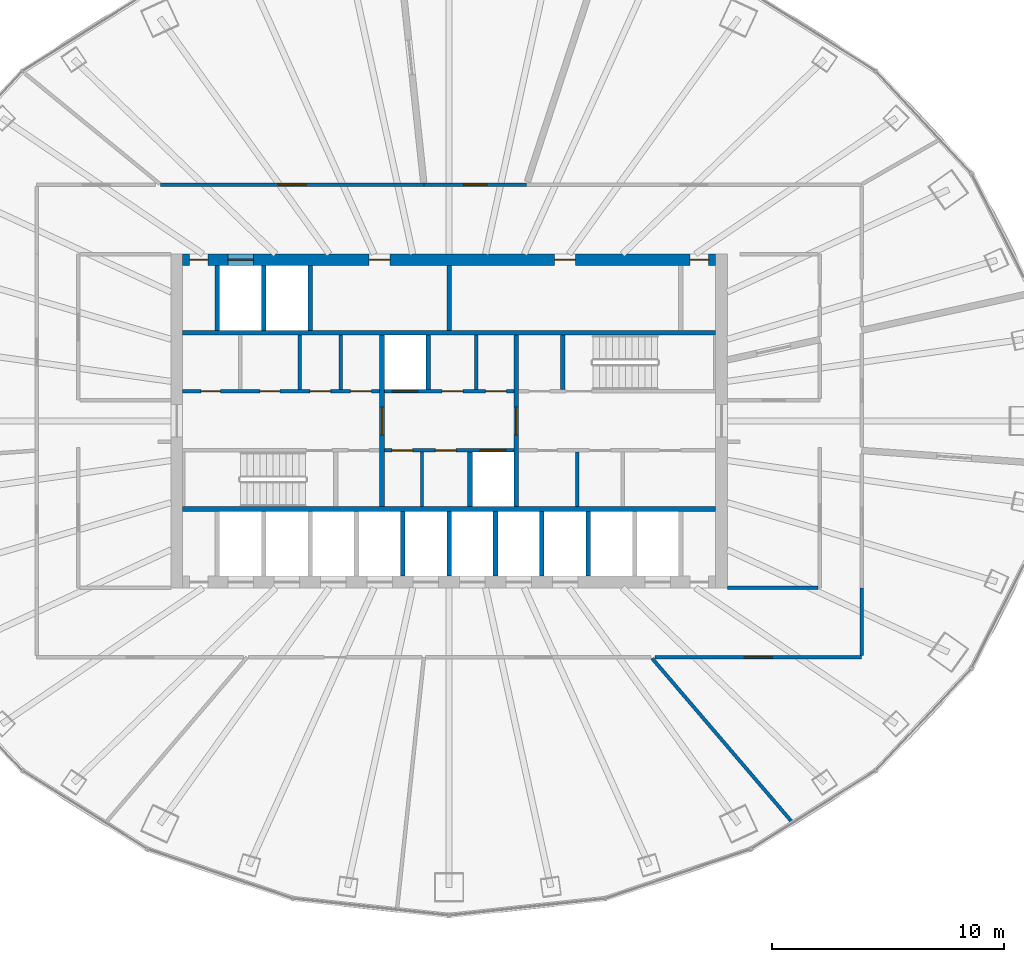
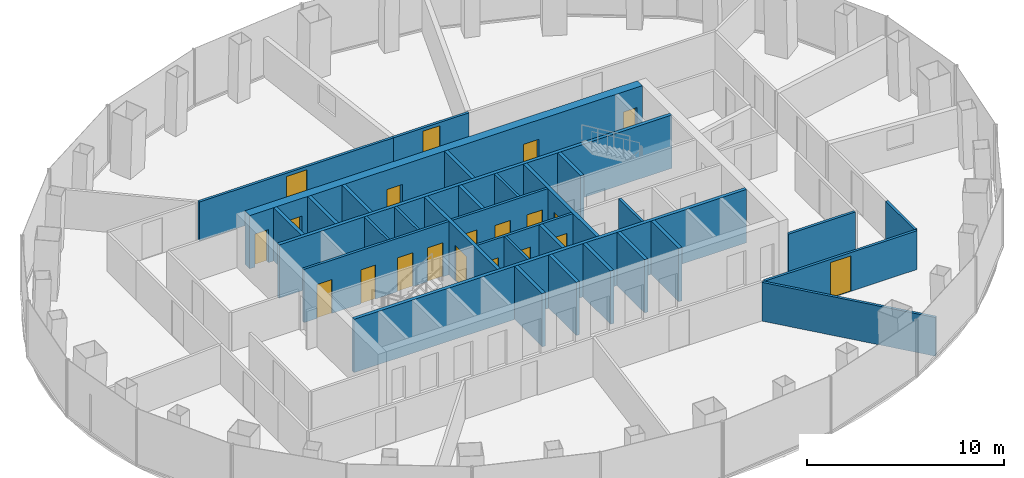
# One storey, part 9 of 12: 31 walls, 20 doors, 20 openings.
"""IFC4 building model written with IfcOpenShell, lengths in metres."""

from ifc_helpers import new_model, si_unit, direction, frame, frame_2d, origin, place, context, subcontext, project, spatial, rectangle, extrude, material, layer, layer_set, type_object, element, fill, save


model = new_model("IFC4")

# Units and contexts
model_context = context("Model", 3, precision=1e-05, world=origin(), true_north=direction((0.0, 1.0)))
body_context = subcontext(model_context, "Body", "Model", "MODEL_VIEW")
ifc_project = project(units=[si_unit("LENGTHUNIT", "METRE"), si_unit("AREAUNIT", "SQUARE_METRE"), si_unit("VOLUMEUNIT", "CUBIC_METRE"), si_unit("PLANEANGLEUNIT", "RADIAN"), si_unit("MASSUNIT", "GRAM", prefix="KILO")], contexts=[model_context])

# Site, building, storey
site_placement = place(None, origin())
site = spatial("IfcSite", under=ifc_project, at=site_placement, CompositionType="ELEMENT")
building_placement = place(site_placement, origin())
building = spatial("IfcBuilding", under=site, at=building_placement, Name="Siaravel Broadcast Tower", CompositionType="ELEMENT")
storey_placement = place(building_placement, frame((0.0, 0.0, 104.5)))
storey = spatial("IfcBuildingStorey", under=building, at=storey_placement, Name="L24", CompositionType="ELEMENT", Elevation=104.5)

# Walls
ifc_material_1 = material(Name="Concrete blockwork", Category="masonry")
ifc_layer_1 = layer(ifc_material_1, 0.14990234375)
ifc_layer_set_1 = layer_set([ifc_layer_1], Name="Concrete blockwork")
wall_type_1 = type_object("IfcWallType", Name="Core partition 150", PredefinedType="PARTITIONING", material=ifc_layer_set_1)
for number, where, z_axis, x_axis, name in (
    (1, (-6.445068359375, 1.35009765625, 0.0), (0.0, 0.0, 1.0), (0.0, 1.0, 0.0), "L24 core partition PNW1"),
    (2, (-4.68505859375, 1.35009765625, 0.0), (0.0, 0.0, 1.0), (0.0, 1.0, 0.0), "L24 core partition PNW2"),
    (3, (5.534912109375, -3.699951171875, 0.0), (0.0, 0.0, 1.0), (0.0, 1.0, 0.0), "L24 core partition PSE0"),
    (4, (1.172607421875, 1.35009765625, 0.0), (0.0, 0.0, 1.0), (0.0, 1.0, 0.0), "L24 core partition PNM0"),
    (5, (-1.172607421875, -3.699951171875, 0.0), (0.0, 0.0, 1.0), (0.0, 1.0, 0.0), "L24 core partition PSM0"),
):
    element("IfcWall", number, at=place(storey_placement, frame(where, z_axis=z_axis, x_axis=x_axis)), inside=storey, type_object=wall_type_1, Name=name, PredefinedType="PARTITIONING", context=body_context, shape_type="SweptSolid", body=[
        extrude(rectangle(XDim=2.349853515625, YDim=0.14990234375, at=frame_2d((1.1748046875, 0.0))), origin(), (0.0, 0.0, 1.0), 3.300048828125),
    ])
ifc_layer_2 = layer(ifc_material_1, 0.199951171875)
ifc_layer_set_2 = layer_set([ifc_layer_2], Name="Concrete blockwork")
wall_type_2 = type_object("IfcWallType", Name="Core partition 200", PredefinedType="PARTITIONING", material=ifc_layer_set_2)
wall_1_placement = place(storey_placement, frame((0.0, 3.89990234375, 0.0), z_axis=(0.0, 0.0, 1.0), x_axis=(0.0, 1.0, 0.0)))
element("IfcWall", 6, at=wall_1_placement, inside=storey, type_object=wall_type_2, Name="L24 core partition PFN2", PredefinedType="PARTITIONING", context=body_context, shape_type="SweptSolid", body=[
    extrude(rectangle(XDim=2.800048828125, YDim=0.199951171875, at=frame_2d((1.39990234375, 0.0))), origin(), (0.0, 0.0, 1.0), 3.300048828125),
])

# Wall, openings, doors
ifc_material_2 = material(Name="Concrete C60/75", Category="concrete")
ifc_layer_3 = layer(ifc_material_2, 0.5)
ifc_layer_set_3 = layer_set([ifc_layer_3], Name="Concrete C60/75")
wall_type_3 = type_object("IfcWallType", Name="Core wall 500", PredefinedType="SHEAR", material=ifc_layer_set_3)
wall_2_placement = place(storey_placement, frame((-11.5, 6.949951171875, 0.0), z_axis=(0.0, 0.0, 1.0), x_axis=(1.0, 0.0, 0.0)))
wall_2 = element("IfcWall", 7, at=wall_2_placement, inside=storey, type_object=wall_type_3, Name="L24 core wall ON", PredefinedType="SHEAR", context=body_context, shape_type="SweptSolid", body=[
    extrude(rectangle(XDim=23.0, YDim=0.5, at=frame_2d((11.5, 0.0))), origin(), (0.0, 0.0, 1.0), 3.300048828125),
])
opening_1_placement = place(wall_2_placement, frame((1.949951171875, 0.0, 0.0)))
opening_1 = element("IfcOpeningElement", 8, at=opening_1_placement, cuts=wall_2, Name="Opening LD-SV2-L24", PredefinedType="OPENING", context=body_context, shape_type="SweptSolid", body=[
    extrude(rectangle(XDim=1.10009765625, YDim=2.199951171875, at=frame_2d((0.550048828125, 1.10009765625))), frame((0.0, 0.260009765625, 0.0), z_axis=(0.0, -1.0, 0.0), x_axis=(1.0, 0.0, 0.0)), (0.0, 0.0, 1.0), 0.52001953125),
])
opening_2_placement = place(wall_2_placement, frame((8.050048828125, 0.0, 0.0)))
opening_2 = element("IfcOpeningElement", 9, at=opening_2_placement, cuts=wall_2, Name="Opening L24-DFN2", PredefinedType="OPENING", context=body_context, shape_type="SweptSolid", body=[
    extrude(rectangle(XDim=0.89990234375, YDim=2.10009765625, at=frame_2d((0.449951171875, 1.050048828125))), frame((0.0, 0.260009765625, 0.0), z_axis=(0.0, -1.0, 0.0), x_axis=(1.0, 0.0, 0.0)), (0.0, 0.0, 1.0), 0.52001953125),
])
opening_3_placement = place(wall_2_placement, frame((16.050048828125, 0.0, 0.0)))
opening_3 = element("IfcOpeningElement", 10, at=opening_3_placement, cuts=wall_2, Name="Opening L24-DFN5", PredefinedType="OPENING", context=body_context, shape_type="SweptSolid", body=[
    extrude(rectangle(XDim=0.89990234375, YDim=2.10009765625, at=frame_2d((0.449951171875, 1.050048828125))), frame((0.0, 0.260009765625, 0.0), z_axis=(0.0, -1.0, 0.0), x_axis=(1.0, 0.0, 0.0)), (0.0, 0.0, 1.0), 0.52001953125),
])
opening_4_placement = place(wall_2_placement, frame((0.300048828125, 0.0, 0.0)))
opening_4 = element("IfcOpeningElement", 11, at=opening_4_placement, cuts=wall_2, Name="Opening L24-DRNW", PredefinedType="OPENING", context=body_context, shape_type="SweptSolid", body=[
    extrude(rectangle(XDim=0.800048828125, YDim=2.050048828125, at=frame_2d((0.39990234375, 1.02490234375))), frame((0.0, 0.260009765625, 0.0), z_axis=(0.0, -1.0, 0.0), x_axis=(1.0, 0.0, 0.0)), (0.0, 0.0, 1.0), 0.52001953125),
])
opening_5_placement = place(wall_2_placement, frame((21.89990234375, 0.0, 0.0)))
opening_5 = element("IfcOpeningElement", 12, at=opening_5_placement, cuts=wall_2, Name="Opening L24-DRNE", PredefinedType="OPENING", context=body_context, shape_type="SweptSolid", body=[
    extrude(rectangle(XDim=0.800048828125, YDim=2.050048828125, at=frame_2d((0.39990234375, 1.02490234375))), frame((0.0, 0.260009765625, 0.0), z_axis=(0.0, -1.0, 0.0), x_axis=(1.0, 0.0, 0.0)), (0.0, 0.0, 1.0), 0.52001953125),
])
ifc_material_3 = material(Name="Timber veneer", Category="wood")
door_type_1 = type_object("IfcDoorType", Name="Core room door 900", OperationType="SINGLE_SWING_LEFT", PredefinedType="DOOR", material=ifc_material_3)
door_1_placement = place(opening_2_placement, origin())
door_1 = element("IfcDoor", 13, at=door_1_placement, inside=storey, type_object=door_type_1, Name="L24 door DFN2", OperationType="SINGLE_SWING_LEFT", OverallHeight=2.10009765625, OverallWidth=0.89990234375, PredefinedType="DOOR", context=body_context, shape_type="SweptSolid", body=[
    extrude(rectangle(XDim=0.89990234375, YDim=2.10009765625, at=frame_2d((0.449951171875, 1.050048828125))), frame((0.0, 0.02490234375, 0.0), z_axis=(0.0, -1.0, 0.0), x_axis=(1.0, 0.0, 0.0)), (0.0, 0.0, 1.0), 0.050048828125),
])
fill(opening_2, door_1)
door_2_placement = place(opening_3_placement, origin())
door_2 = element("IfcDoor", 14, at=door_2_placement, inside=storey, type_object=door_type_1, Name="L24 door DFN5", OperationType="SINGLE_SWING_LEFT", OverallHeight=2.10009765625, OverallWidth=0.89990234375, PredefinedType="DOOR", context=body_context, shape_type="SweptSolid", body=[
    extrude(rectangle(XDim=0.89990234375, YDim=2.10009765625, at=frame_2d((0.449951171875, 1.050048828125))), frame((0.0, 0.02490234375, 0.0), z_axis=(0.0, -1.0, 0.0), x_axis=(1.0, 0.0, 0.0)), (0.0, 0.0, 1.0), 0.050048828125),
])
fill(opening_3, door_2)
ifc_material_4 = material(Name="Steel", Category="steel")
door_type_2 = type_object("IfcDoorType", Name="Riser door 800", OperationType="SINGLE_SWING_LEFT", PredefinedType="DOOR", material=ifc_material_4)
door_3_placement = place(opening_4_placement, origin())
door_3 = element("IfcDoor", 15, at=door_3_placement, inside=storey, type_object=door_type_2, Name="L24 door DRNW", OperationType="SINGLE_SWING_LEFT", OverallHeight=2.050048828125, OverallWidth=0.800048828125, PredefinedType="DOOR", context=body_context, shape_type="SweptSolid", body=[
    extrude(rectangle(XDim=0.800048828125, YDim=2.050048828125, at=frame_2d((0.39990234375, 1.02490234375))), frame((0.0, 0.02490234375, 0.0), z_axis=(0.0, -1.0, 0.0), x_axis=(1.0, 0.0, 0.0)), (0.0, 0.0, 1.0), 0.050048828125),
])
fill(opening_4, door_3)
door_4_placement = place(opening_5_placement, origin())
door_4 = element("IfcDoor", 16, at=door_4_placement, inside=storey, type_object=door_type_2, Name="L24 door DRNE", OperationType="SINGLE_SWING_LEFT", OverallHeight=2.050048828125, OverallWidth=0.800048828125, PredefinedType="DOOR", context=body_context, shape_type="SweptSolid", body=[
    extrude(rectangle(XDim=0.800048828125, YDim=2.050048828125, at=frame_2d((0.39990234375, 1.02490234375))), frame((0.0, 0.02490234375, 0.0), z_axis=(0.0, -1.0, 0.0), x_axis=(1.0, 0.0, 0.0)), (0.0, 0.0, 1.0), 0.050048828125),
])
fill(opening_5, door_4)
ifc_material_5 = material(Name="Stainless steel 316L", Category="steel")
door_type_3 = type_object("IfcDoorType", Name="Service lift landing door 1100", OperationType="DOUBLE_DOOR_SLIDING", PredefinedType="DOOR", material=ifc_material_5)
door_5_placement = place(opening_1_placement, origin())
door_5 = element("IfcDoor", 17, at=door_5_placement, inside=storey, type_object=door_type_3, Name="Landing door SV2 L24", OperationType="DOUBLE_DOOR_SLIDING", OverallHeight=2.199951171875, OverallWidth=1.10009765625, PredefinedType="DOOR", context=body_context, shape_type="SweptSolid", body=[
    extrude(rectangle(XDim=1.10009765625, YDim=2.199951171875, at=frame_2d((0.550048828125, 1.10009765625))), frame((0.0, 0.02490234375, 0.0), z_axis=(0.0, -1.0, 0.0), x_axis=(1.0, 0.0, 0.0)), (0.0, 0.0, 1.0), 0.050048828125),
])
fill(opening_1, door_5)

ifc_material_6 = material(Name="Gypsum board partition", Category="gypsum")
ifc_layer_4 = layer(ifc_material_6, 0.14990234375)
ifc_layer_set_4 = layer_set([ifc_layer_4], Name="Gypsum board partition")
wall_type_4 = type_object("IfcWallType", Name="Corridor wall 150", PredefinedType="PARTITIONING", material=ifc_layer_set_4)
wall_3_placement = place(storey_placement, frame((-11.5, 1.27490234375, 0.0), z_axis=(0.0, 0.0, 1.0), x_axis=(1.0, 0.0, 0.0)))
wall_3 = element("IfcWall", 18, at=wall_3_placement, inside=storey, type_object=wall_type_4, Name="L24 core partition CNW", PredefinedType="PARTITIONING", context=body_context, shape_type="SweptSolid", body=[
    extrude(rectangle(XDim=8.5, YDim=0.14990234375, at=frame_2d((4.25, 0.0))), origin(), (0.0, 0.0, 1.0), 3.300048828125),
])
opening_6_placement = place(wall_3_placement, frame((0.782470703125, 0.0, 0.0)))
opening_6 = element("IfcOpeningElement", 19, at=opening_6_placement, cuts=wall_3, Name="Opening L24-DNW0", PredefinedType="OPENING", context=body_context, shape_type="SweptSolid", body=[
    extrude(rectangle(XDim=0.85009765625, YDim=2.10009765625, at=frame_2d((0.425048828125, 1.050048828125))), frame((0.0, 0.0849609375, 0.0), z_axis=(0.0, -1.0, 0.0), x_axis=(1.0, 0.0, 0.0)), (0.0, 0.0, 1.0), 0.169921875),
])
opening_7_placement = place(wall_3_placement, frame((3.347412109375, 0.0, 0.0)))
opening_7 = element("IfcOpeningElement", 20, at=opening_7_placement, cuts=wall_3, Name="Opening L24-DNW1", PredefinedType="OPENING", context=body_context, shape_type="SweptSolid", body=[
    extrude(rectangle(XDim=0.85009765625, YDim=2.10009765625, at=frame_2d((0.425048828125, 1.050048828125))), frame((0.0, 0.0849609375, 0.0), z_axis=(0.0, -1.0, 0.0), x_axis=(1.0, 0.0, 0.0)), (0.0, 0.0, 1.0), 0.169921875),
])
opening_8_placement = place(wall_3_placement, frame((5.485107421875, 0.0, 0.0)))
opening_8 = element("IfcOpeningElement", 21, at=opening_8_placement, cuts=wall_3, Name="Opening L24-DNW2", PredefinedType="OPENING", context=body_context, shape_type="SweptSolid", body=[
    extrude(rectangle(XDim=0.89990234375, YDim=2.10009765625, at=frame_2d((0.449951171875, 1.050048828125))), frame((0.0, 0.0849609375, 0.0), z_axis=(0.0, -1.0, 0.0), x_axis=(1.0, 0.0, 0.0)), (0.0, 0.0, 1.0), 0.169921875),
])
opening_9_placement = place(wall_3_placement, frame((7.2451171875, 0.0, 0.0)))
opening_9 = element("IfcOpeningElement", 22, at=opening_9_placement, cuts=wall_3, Name="Opening L24-DNW3", PredefinedType="OPENING", context=body_context, shape_type="SweptSolid", body=[
    extrude(rectangle(XDim=0.89990234375, YDim=2.10009765625, at=frame_2d((0.449951171875, 1.050048828125))), frame((0.0, 0.0849609375, 0.0), z_axis=(0.0, -1.0, 0.0), x_axis=(1.0, 0.0, 0.0)), (0.0, 0.0, 1.0), 0.169921875),
])
door_6_placement = place(opening_8_placement, origin())
door_6 = element("IfcDoor", 23, at=door_6_placement, inside=storey, type_object=door_type_1, Name="L24 door DNW2", OperationType="SINGLE_SWING_LEFT", OverallHeight=2.10009765625, OverallWidth=0.89990234375, PredefinedType="DOOR", context=body_context, shape_type="SweptSolid", body=[
    extrude(rectangle(XDim=0.89990234375, YDim=2.10009765625, at=frame_2d((0.449951171875, 1.050048828125))), frame((0.0, 0.02490234375, 0.0), z_axis=(0.0, -1.0, 0.0), x_axis=(1.0, 0.0, 0.0)), (0.0, 0.0, 1.0), 0.050048828125),
])
fill(opening_8, door_6)
door_7_placement = place(opening_9_placement, origin())
door_7 = element("IfcDoor", 24, at=door_7_placement, inside=storey, type_object=door_type_1, Name="L24 door DNW3", OperationType="SINGLE_SWING_LEFT", OverallHeight=2.10009765625, OverallWidth=0.89990234375, PredefinedType="DOOR", context=body_context, shape_type="SweptSolid", body=[
    extrude(rectangle(XDim=0.89990234375, YDim=2.10009765625, at=frame_2d((0.449951171875, 1.050048828125))), frame((0.0, 0.02490234375, 0.0), z_axis=(0.0, -1.0, 0.0), x_axis=(1.0, 0.0, 0.0)), (0.0, 0.0, 1.0), 0.050048828125),
])
fill(opening_9, door_7)
door_type_4 = type_object("IfcDoorType", Name="Core toilet door 850", OperationType="SINGLE_SWING_LEFT", PredefinedType="DOOR", material=ifc_material_3)
door_8_placement = place(opening_6_placement, origin())
door_8 = element("IfcDoor", 25, at=door_8_placement, inside=storey, type_object=door_type_4, Name="L24 door DNW0", OperationType="SINGLE_SWING_LEFT", OverallHeight=2.10009765625, OverallWidth=0.85009765625, PredefinedType="DOOR", context=body_context, shape_type="SweptSolid", body=[
    extrude(rectangle(XDim=0.85009765625, YDim=2.10009765625, at=frame_2d((0.425048828125, 1.050048828125))), frame((0.0, 0.02490234375, 0.0), z_axis=(0.0, -1.0, 0.0), x_axis=(1.0, 0.0, 0.0)), (0.0, 0.0, 1.0), 0.050048828125),
])
fill(opening_6, door_8)
door_9_placement = place(opening_7_placement, origin())
door_9 = element("IfcDoor", 26, at=door_9_placement, inside=storey, type_object=door_type_4, Name="L24 door DNW1", OperationType="SINGLE_SWING_LEFT", OverallHeight=2.10009765625, OverallWidth=0.85009765625, PredefinedType="DOOR", context=body_context, shape_type="SweptSolid", body=[
    extrude(rectangle(XDim=0.85009765625, YDim=2.10009765625, at=frame_2d((0.425048828125, 1.050048828125))), frame((0.0, 0.02490234375, 0.0), z_axis=(0.0, -1.0, 0.0), x_axis=(1.0, 0.0, 0.0)), (0.0, 0.0, 1.0), 0.050048828125),
])
fill(opening_7, door_9)

# Wall, opening, door
wall_4_placement = place(storey_placement, frame((-1.08935546875, 10.199951171875, 0.0), z_axis=(0.0, 0.0, 1.0), x_axis=(-1.0, 0.0, 0.0)))
wall_4 = element("IfcWall", 27, at=wall_4_placement, inside=storey, type_object=wall_type_4, Name="L24 partition 2", PredefinedType="PARTITIONING", context=body_context, shape_type="SweptSolid", body=[
    extrude(rectangle(XDim=11.363037109375, YDim=0.14990234375, at=frame_2d((5.681640625, 0.0))), origin(), (0.0, 0.0, 1.0), 2.39990234375),
])
opening_10_placement = place(wall_4_placement, frame((5.08154296875, 0.0, 0.0)))
opening_10 = element("IfcOpeningElement", 28, at=opening_10_placement, cuts=wall_4, Name="Opening L24-001", PredefinedType="OPENING", context=body_context, shape_type="SweptSolid", body=[
    extrude(rectangle(XDim=1.199951171875, YDim=2.199951171875, at=frame_2d((0.60009765625, 1.10009765625))), frame((0.0, 0.0849609375, 0.0), z_axis=(0.0, -1.0, 0.0), x_axis=(1.0, 0.0, 0.0)), (0.0, 0.0, 1.0), 0.169921875),
])
door_type_5 = type_object("IfcDoorType", Name="Office double door 1200", OperationType="DOUBLE_DOOR_SINGLE_SWING", PredefinedType="DOOR", material=ifc_material_3)
door_10_placement = place(opening_10_placement, origin())
door_10 = element("IfcDoor", 29, at=door_10_placement, inside=storey, type_object=door_type_5, Name="L24 door to Open plan production office", OperationType="DOUBLE_DOOR_SINGLE_SWING", OverallHeight=2.199951171875, OverallWidth=1.199951171875, PredefinedType="DOOR", context=body_context, shape_type="SweptSolid", body=[
    extrude(rectangle(XDim=1.199951171875, YDim=2.199951171875, at=frame_2d((0.60009765625, 1.10009765625))), frame((0.0, 0.02490234375, 0.0), z_axis=(0.0, -1.0, 0.0), x_axis=(1.0, 0.0, 0.0)), (0.0, 0.0, 1.0), 0.050048828125),
])
fill(opening_10, door_10)

wall_5_placement = place(storey_placement, frame((8.884033203125, -10.199951171875, 0.0), z_axis=(0.0, 0.0, 1.0), x_axis=(1.0, 0.0, 0.0)))
wall_5 = element("IfcWall", 30, at=wall_5_placement, inside=storey, type_object=wall_type_4, Name="L24 partition 10", PredefinedType="PARTITIONING", context=body_context, shape_type="SweptSolid", body=[
    extrude(rectangle(XDim=8.916015625, YDim=0.14990234375, at=frame_2d((4.4580078125, 0.0))), origin(), (0.0, 0.0, 1.0), 2.39990234375),
])
opening_11_placement = place(wall_5_placement, frame((3.85791015625, 0.0, 0.0)))
opening_11 = element("IfcOpeningElement", 31, at=opening_11_placement, cuts=wall_5, Name="Opening L24-011", PredefinedType="OPENING", context=body_context, shape_type="SweptSolid", body=[
    extrude(rectangle(XDim=1.199951171875, YDim=2.199951171875, at=frame_2d((0.60009765625, 1.10009765625))), frame((0.0, 0.0849609375, 0.0), z_axis=(0.0, -1.0, 0.0), x_axis=(1.0, 0.0, 0.0)), (0.0, 0.0, 1.0), 0.169921875),
])
door_11_placement = place(opening_11_placement, origin())
door_11 = element("IfcDoor", 32, at=door_11_placement, inside=storey, type_object=door_type_5, Name="L24 door to Open plan production office", OperationType="DOUBLE_DOOR_SINGLE_SWING", OverallHeight=2.199951171875, OverallWidth=1.199951171875, PredefinedType="DOOR", context=body_context, shape_type="SweptSolid", body=[
    extrude(rectangle(XDim=1.199951171875, YDim=2.199951171875, at=frame_2d((0.60009765625, 1.10009765625))), frame((0.0, 0.02490234375, 0.0), z_axis=(0.0, -1.0, 0.0), x_axis=(1.0, 0.0, 0.0)), (0.0, 0.0, 1.0), 0.050048828125),
])
fill(opening_11, door_11)

wall_6_placement = place(storey_placement, frame((3.335693359375, 10.199951171875, 0.0), z_axis=(0.0, 0.0, 1.0), x_axis=(-1.0, 0.0, 0.0)))
wall_6 = element("IfcWall", 33, at=wall_6_placement, inside=storey, type_object=wall_type_4, Name="L24 partition 24", PredefinedType="PARTITIONING", context=body_context, shape_type="SweptSolid", body=[
    extrude(rectangle(XDim=4.424072265625, YDim=0.14990234375, at=frame_2d((2.2119140625, 0.0))), origin(), (0.0, 0.0, 1.0), 2.39990234375),
])
opening_12_placement = place(wall_6_placement, frame((1.7119140625, 0.0, 0.0)))
opening_12 = element("IfcOpeningElement", 34, at=opening_12_placement, cuts=wall_6, Name="Opening L24-018", PredefinedType="OPENING", context=body_context, shape_type="SweptSolid", body=[
    extrude(rectangle(XDim=1.0, YDim=2.199951171875, at=frame_2d((0.5, 1.10009765625))), frame((0.0, 0.0849609375, 0.0), z_axis=(0.0, -1.0, 0.0), x_axis=(1.0, 0.0, 0.0)), (0.0, 0.0, 1.0), 0.169921875),
])
ifc_material_7 = material(Name="Acoustic timber and steel", Category="steel")
door_type_6 = type_object("IfcDoorType", Name="Acoustic door 1000", OperationType="SINGLE_SWING_LEFT", PredefinedType="DOOR", material=ifc_material_7)
door_12_placement = place(opening_12_placement, origin())
door_12 = element("IfcDoor", 35, at=door_12_placement, inside=storey, type_object=door_type_6, Name="L24 door to Viewing theatre", OperationType="SINGLE_SWING_RIGHT", OverallHeight=2.199951171875, OverallWidth=1.0, PredefinedType="DOOR", context=body_context, shape_type="SweptSolid", body=[
    extrude(rectangle(XDim=1.0, YDim=2.199951171875, at=frame_2d((0.5, 1.10009765625))), frame((0.0, 0.02490234375, 0.0), z_axis=(0.0, -1.0, 0.0), x_axis=(1.0, 0.0, 0.0)), (0.0, 0.0, 1.0), 0.050048828125),
])
fill(opening_12, door_12)

# Walls
wall_7_placement = place(storey_placement, frame((15.923095703125, -7.199951171875, 0.0), z_axis=(0.0, 0.0, 1.0), x_axis=(-1.0, 0.0, 0.0)))
element("IfcWall", 36, at=wall_7_placement, inside=storey, type_object=wall_type_4, Name="L24 partition 29", PredefinedType="PARTITIONING", context=body_context, shape_type="SweptSolid", body=[
    extrude(rectangle(XDim=3.923095703125, YDim=0.14990234375, at=frame_2d((1.96142578125, 0.0))), origin(), (0.0, 0.0, 1.0), 2.39990234375),
])
wall_8_placement = place(storey_placement, frame((17.800048828125, -10.123046875, 0.0), z_axis=(0.0, 0.0, 1.0), x_axis=(0.0, 1.0, 0.0)))
element("IfcWall", 37, at=wall_8_placement, inside=storey, type_object=wall_type_4, Name="L24 partition 38", PredefinedType="PARTITIONING", context=body_context, shape_type="SweptSolid", body=[
    extrude(rectangle(XDim=2.91015625, YDim=0.14990234375, at=frame_2d((1.455078125, 0.0))), origin(), (0.0, 0.0, 1.0), 2.39990234375),
])
ifc_layer_5 = layer(ifc_material_6, 0.14990234375)
ifc_layer_set_5 = layer_set([ifc_layer_5], Name="Gypsum board partition")
wall_type_5 = type_object("IfcWallType", Name="Room partition 150", PredefinedType="PARTITIONING", material=ifc_layer_set_5)
wall_9_placement = place(storey_placement, frame((14.828125, -17.34619140625, 0.0), z_axis=(0.0, 0.0, 1.0), x_axis=(-0.649770677, 0.760130296, 0.0)))
element("IfcWall", 38, at=wall_9_placement, inside=storey, type_object=wall_type_5, Name="L24 partition 7", PredefinedType="PARTITIONING", context=body_context, shape_type="SweptSolid", body=[
    extrude(rectangle(XDim=9.34228515625, YDim=0.14990234375, at=frame_2d((4.671142578125, 0.0))), origin(), (0.0, 0.0, 1.0), 2.39990234375),
])

# Wall, openings, doors
ifc_layer_6 = layer(ifc_material_2, 0.14990234375)
ifc_layer_set_6 = layer_set([ifc_layer_6], Name="Concrete C60/75")
wall_type_6 = type_object("IfcWallType", Name="Shaft wall 150", PredefinedType="SHEAR", material=ifc_layer_set_6)
wall_10_placement = place(storey_placement, frame((-2.800048828125, -1.27490234375, 0.0), z_axis=(0.0, 0.0, 1.0), x_axis=(1.0, 0.0, 0.0)))
wall_10 = element("IfcWall", 39, at=wall_10_placement, inside=storey, type_object=wall_type_6, Name="L24 core wall CSM", PredefinedType="SHEAR", context=body_context, shape_type="SweptSolid", body=[
    extrude(rectangle(XDim=5.60009765625, YDim=0.14990234375, at=frame_2d((2.800048828125, 0.0))), origin(), (0.0, 0.0, 1.0), 3.300048828125),
])
opening_13_placement = place(wall_10_placement, frame((4.14990234375, 0.0, 0.0)))
opening_13 = element("IfcOpeningElement", 40, at=opening_13_placement, cuts=wall_10, Name="Opening LD-FL2-L24", PredefinedType="OPENING", context=body_context, shape_type="SweptSolid", body=[
    extrude(rectangle(XDim=1.10009765625, YDim=2.199951171875, at=frame_2d((0.550048828125, 1.10009765625))), frame((0.0, 0.0849609375, 0.0), z_axis=(0.0, -1.0, 0.0), x_axis=(1.0, 0.0, 0.0)), (0.0, 0.0, 1.0), 0.169921875),
])
opening_14_placement = place(wall_10_placement, frame((0.326416015625, 0.0, 0.0)))
opening_14 = element("IfcOpeningElement", 41, at=opening_14_placement, cuts=wall_10, Name="Opening L24-DSM0", PredefinedType="OPENING", context=body_context, shape_type="SweptSolid", body=[
    extrude(rectangle(XDim=0.89990234375, YDim=2.10009765625, at=frame_2d((0.449951171875, 1.050048828125))), frame((0.0, 0.0849609375, 0.0), z_axis=(0.0, -1.0, 0.0), x_axis=(1.0, 0.0, 0.0)), (0.0, 0.0, 1.0), 0.169921875),
])
opening_15_placement = place(wall_10_placement, frame((2.201416015625, 0.0, 0.0)))
opening_15 = element("IfcOpeningElement", 42, at=opening_15_placement, cuts=wall_10, Name="Opening L24-DSM1", PredefinedType="OPENING", context=body_context, shape_type="SweptSolid", body=[
    extrude(rectangle(XDim=0.89990234375, YDim=2.10009765625, at=frame_2d((0.449951171875, 1.050048828125))), frame((0.0, 0.0849609375, 0.0), z_axis=(0.0, -1.0, 0.0), x_axis=(1.0, 0.0, 0.0)), (0.0, 0.0, 1.0), 0.169921875),
])
door_13_placement = place(opening_14_placement, origin())
door_13 = element("IfcDoor", 43, at=door_13_placement, inside=storey, type_object=door_type_1, Name="L24 door DSM0", OperationType="SINGLE_SWING_LEFT", OverallHeight=2.10009765625, OverallWidth=0.89990234375, PredefinedType="DOOR", context=body_context, shape_type="SweptSolid", body=[
    extrude(rectangle(XDim=0.89990234375, YDim=2.10009765625, at=frame_2d((0.449951171875, 1.050048828125))), frame((0.0, 0.02490234375, 0.0), z_axis=(0.0, -1.0, 0.0), x_axis=(1.0, 0.0, 0.0)), (0.0, 0.0, 1.0), 0.050048828125),
])
fill(opening_14, door_13)
door_14_placement = place(opening_15_placement, origin())
door_14 = element("IfcDoor", 44, at=door_14_placement, inside=storey, type_object=door_type_1, Name="L24 door DSM1", OperationType="SINGLE_SWING_LEFT", OverallHeight=2.10009765625, OverallWidth=0.89990234375, PredefinedType="DOOR", context=body_context, shape_type="SweptSolid", body=[
    extrude(rectangle(XDim=0.89990234375, YDim=2.10009765625, at=frame_2d((0.449951171875, 1.050048828125))), frame((0.0, 0.02490234375, 0.0), z_axis=(0.0, -1.0, 0.0), x_axis=(1.0, 0.0, 0.0)), (0.0, 0.0, 1.0), 0.050048828125),
])
fill(opening_15, door_14)
door_type_7 = type_object("IfcDoorType", Name="Firefighting lift landing door 1100", OperationType="DOUBLE_DOOR_SLIDING", PredefinedType="DOOR", material=ifc_material_5)
door_15_placement = place(opening_13_placement, origin())
door_15 = element("IfcDoor", 45, at=door_15_placement, inside=storey, type_object=door_type_7, Name="Landing door FL2 L24", OperationType="DOUBLE_DOOR_SLIDING", OverallHeight=2.199951171875, OverallWidth=1.10009765625, PredefinedType="DOOR", context=body_context, shape_type="SweptSolid", body=[
    extrude(rectangle(XDim=1.10009765625, YDim=2.199951171875, at=frame_2d((0.550048828125, 1.10009765625))), frame((0.0, 0.02490234375, 0.0), z_axis=(0.0, -1.0, 0.0), x_axis=(1.0, 0.0, 0.0)), (0.0, 0.0, 1.0), 0.050048828125),
])
fill(opening_13, door_15)

wall_11_placement = place(storey_placement, frame((-2.800048828125, 1.27490234375, 0.0), z_axis=(0.0, 0.0, 1.0), x_axis=(1.0, 0.0, 0.0)))
wall_11 = element("IfcWall", 46, at=wall_11_placement, inside=storey, type_object=wall_type_6, Name="L24 core wall CNM", PredefinedType="SHEAR", context=body_context, shape_type="SweptSolid", body=[
    extrude(rectangle(XDim=5.60009765625, YDim=0.14990234375, at=frame_2d((2.800048828125, 0.0))), origin(), (0.0, 0.0, 1.0), 3.300048828125),
])
opening_16_placement = place(wall_11_placement, frame((0.35009765625, 0.0, 0.0)))
opening_16 = element("IfcOpeningElement", 47, at=opening_16_placement, cuts=wall_11, Name="Opening LD-FL1-L24", PredefinedType="OPENING", context=body_context, shape_type="SweptSolid", body=[
    extrude(rectangle(XDim=1.10009765625, YDim=2.199951171875, at=frame_2d((0.550048828125, 1.10009765625))), frame((0.0, 0.0849609375, 0.0), z_axis=(0.0, -1.0, 0.0), x_axis=(1.0, 0.0, 0.0)), (0.0, 0.0, 1.0), 0.169921875),
])
opening_17_placement = place(wall_11_placement, frame((2.498779296875, 0.0, 0.0)))
opening_17 = element("IfcOpeningElement", 48, at=opening_17_placement, cuts=wall_11, Name="Opening L24-DNM0", PredefinedType="OPENING", context=body_context, shape_type="SweptSolid", body=[
    extrude(rectangle(XDim=0.89990234375, YDim=2.10009765625, at=frame_2d((0.449951171875, 1.050048828125))), frame((0.0, 0.0849609375, 0.0), z_axis=(0.0, -1.0, 0.0), x_axis=(1.0, 0.0, 0.0)), (0.0, 0.0, 1.0), 0.169921875),
])
opening_18_placement = place(wall_11_placement, frame((4.373779296875, 0.0, 0.0)))
opening_18 = element("IfcOpeningElement", 49, at=opening_18_placement, cuts=wall_11, Name="Opening L24-DNM1", PredefinedType="OPENING", context=body_context, shape_type="SweptSolid", body=[
    extrude(rectangle(XDim=0.89990234375, YDim=2.10009765625, at=frame_2d((0.449951171875, 1.050048828125))), frame((0.0, 0.0849609375, 0.0), z_axis=(0.0, -1.0, 0.0), x_axis=(1.0, 0.0, 0.0)), (0.0, 0.0, 1.0), 0.169921875),
])
door_16_placement = place(opening_17_placement, origin())
door_16 = element("IfcDoor", 50, at=door_16_placement, inside=storey, type_object=door_type_1, Name="L24 door DNM0", OperationType="SINGLE_SWING_LEFT", OverallHeight=2.10009765625, OverallWidth=0.89990234375, PredefinedType="DOOR", context=body_context, shape_type="SweptSolid", body=[
    extrude(rectangle(XDim=0.89990234375, YDim=2.10009765625, at=frame_2d((0.449951171875, 1.050048828125))), frame((0.0, 0.02490234375, 0.0), z_axis=(0.0, -1.0, 0.0), x_axis=(1.0, 0.0, 0.0)), (0.0, 0.0, 1.0), 0.050048828125),
])
fill(opening_17, door_16)
door_17_placement = place(opening_18_placement, origin())
door_17 = element("IfcDoor", 51, at=door_17_placement, inside=storey, type_object=door_type_1, Name="L24 door DNM1", OperationType="SINGLE_SWING_LEFT", OverallHeight=2.10009765625, OverallWidth=0.89990234375, PredefinedType="DOOR", context=body_context, shape_type="SweptSolid", body=[
    extrude(rectangle(XDim=0.89990234375, YDim=2.10009765625, at=frame_2d((0.449951171875, 1.050048828125))), frame((0.0, 0.02490234375, 0.0), z_axis=(0.0, -1.0, 0.0), x_axis=(1.0, 0.0, 0.0)), (0.0, 0.0, 1.0), 0.050048828125),
])
fill(opening_18, door_17)
door_18_placement = place(opening_16_placement, origin())
door_18 = element("IfcDoor", 52, at=door_18_placement, inside=storey, type_object=door_type_7, Name="Landing door FL1 L24", OperationType="DOUBLE_DOOR_SLIDING", OverallHeight=2.199951171875, OverallWidth=1.10009765625, PredefinedType="DOOR", context=body_context, shape_type="SweptSolid", body=[
    extrude(rectangle(XDim=1.10009765625, YDim=2.199951171875, at=frame_2d((0.550048828125, 1.10009765625))), frame((0.0, 0.02490234375, 0.0), z_axis=(0.0, -1.0, 0.0), x_axis=(1.0, 0.0, 0.0)), (0.0, 0.0, 1.0), 0.050048828125),
])
fill(opening_16, door_18)

# Walls
ifc_layer_7 = layer(ifc_material_2, 0.199951171875)
ifc_layer_set_7 = layer_set([ifc_layer_7], Name="Concrete C60/75")
wall_type_7 = type_object("IfcWallType", Name="Shaft wall 200", PredefinedType="SHEAR", material=ifc_layer_set_7)
for number, where, z_axis, x_axis, name in (
    (53, (-11.5, -3.800048828125, 0.0), (0.0, 0.0, 1.0), (1.0, 0.0, 0.0), "L24 core wall BS"),
    (54, (-11.5, 3.800048828125, 0.0), (0.0, 0.0, 1.0), (1.0, 0.0, 0.0), "L24 core wall BN"),
):
    element("IfcWall", number, at=place(storey_placement, frame(where, z_axis=z_axis, x_axis=x_axis)), inside=storey, type_object=wall_type_7, Name=name, PredefinedType="SHEAR", context=body_context, shape_type="SweptSolid", body=[
        extrude(rectangle(XDim=23.0, YDim=0.199951171875, at=frame_2d((11.5, 0.0))), origin(), (0.0, 0.0, 1.0), 3.300048828125),
    ])
for number, where, z_axis, x_axis, name in (
    (55, (-2.0, -6.699951171875, 0.0), (0.0, 0.0, 1.0), (0.0, 1.0, 0.0), "L24 core wall SWS4"),
    (56, (0.0, -6.699951171875, 0.0), (0.0, 0.0, 1.0), (0.0, 1.0, 0.0), "L24 core wall SWS5"),
    (57, (2.0, -6.699951171875, 0.0), (0.0, 0.0, 1.0), (0.0, 1.0, 0.0), "L24 core wall SWS6"),
    (58, (4.0, -6.699951171875, 0.0), (0.0, 0.0, 1.0), (0.0, 1.0, 0.0), "L24 core wall SWS7"),
    (59, (6.0, -6.699951171875, 0.0), (0.0, 0.0, 1.0), (0.0, 1.0, 0.0), "L24 core wall SWS8"),
    (60, (-10.0, 3.89990234375, 0.0), (0.0, 0.0, 1.0), (0.0, 1.0, 0.0), "L24 core wall SWN0"),
    (61, (-8.0, 3.89990234375, 0.0), (0.0, 0.0, 1.0), (0.0, 1.0, 0.0), "L24 core wall SWN1"),
    (62, (-6.0, 3.89990234375, 0.0), (0.0, 0.0, 1.0), (0.0, 1.0, 0.0), "L24 core wall SWN2"),
):
    element("IfcWall", number, at=place(storey_placement, frame(where, z_axis=z_axis, x_axis=x_axis)), inside=storey, type_object=wall_type_7, Name=name, PredefinedType="SHEAR", context=body_context, shape_type="SweptSolid", body=[
        extrude(rectangle(XDim=2.800048828125, YDim=0.199951171875, at=frame_2d((1.39990234375, 0.0))), origin(), (0.0, 0.0, 1.0), 3.300048828125),
    ])

# Wall, opening, door
wall_12_placement = place(storey_placement, frame((-2.89990234375, -3.699951171875, 0.0), z_axis=(0.0, 0.0, 1.0), x_axis=(0.0, 1.0, 0.0)))
wall_12 = element("IfcWall", 63, at=wall_12_placement, inside=storey, type_object=wall_type_7, Name="L24 core wall LW", PredefinedType="SHEAR", context=body_context, shape_type="SweptSolid", body=[
    extrude(rectangle(XDim=7.39990234375, YDim=0.199951171875, at=frame_2d((3.699951171875, 0.0))), origin(), (0.0, 0.0, 1.0), 3.300048828125),
])
opening_19_placement = place(wall_12_placement, frame((3.10009765625, 0.0, 0.0)))
opening_19 = element("IfcOpeningElement", 64, at=opening_19_placement, cuts=wall_12, Name="Opening L24-DL-W", PredefinedType="OPENING", context=body_context, shape_type="SweptSolid", body=[
    extrude(rectangle(XDim=1.199951171875, YDim=2.199951171875, at=frame_2d((0.60009765625, 1.10009765625))), frame((0.0, 0.10986328125, 0.0), z_axis=(0.0, -1.0, 0.0), x_axis=(1.0, 0.0, 0.0)), (0.0, 0.0, 1.0), 0.219970703125),
])
door_type_8 = type_object("IfcDoorType", Name="Firefighting lobby door 1200", OperationType="SINGLE_SWING_LEFT", PredefinedType="DOOR", material=ifc_material_4)
door_19_placement = place(opening_19_placement, origin())
door_19 = element("IfcDoor", 65, at=door_19_placement, inside=storey, type_object=door_type_8, Name="L24 door DL-W", OperationType="SINGLE_SWING_LEFT", OverallHeight=2.199951171875, OverallWidth=1.199951171875, PredefinedType="DOOR", context=body_context, shape_type="SweptSolid", body=[
    extrude(rectangle(XDim=1.199951171875, YDim=2.199951171875, at=frame_2d((0.60009765625, 1.10009765625))), frame((0.0, 0.02490234375, 0.0), z_axis=(0.0, -1.0, 0.0), x_axis=(1.0, 0.0, 0.0)), (0.0, 0.0, 1.0), 0.050048828125),
])
fill(opening_19, door_19)

wall_13_placement = place(storey_placement, frame((2.89990234375, -3.699951171875, 0.0), z_axis=(0.0, 0.0, 1.0), x_axis=(0.0, 1.0, 0.0)))
wall_13 = element("IfcWall", 66, at=wall_13_placement, inside=storey, type_object=wall_type_7, Name="L24 core wall LE", PredefinedType="SHEAR", context=body_context, shape_type="SweptSolid", body=[
    extrude(rectangle(XDim=7.39990234375, YDim=0.199951171875, at=frame_2d((3.699951171875, 0.0))), origin(), (0.0, 0.0, 1.0), 3.300048828125),
])
opening_20_placement = place(wall_13_placement, frame((3.10009765625, 0.0, 0.0)))
opening_20 = element("IfcOpeningElement", 67, at=opening_20_placement, cuts=wall_13, Name="Opening L24-DL-E", PredefinedType="OPENING", context=body_context, shape_type="SweptSolid", body=[
    extrude(rectangle(XDim=1.199951171875, YDim=2.199951171875, at=frame_2d((0.60009765625, 1.10009765625))), frame((0.0, 0.10986328125, 0.0), z_axis=(0.0, -1.0, 0.0), x_axis=(1.0, 0.0, 0.0)), (0.0, 0.0, 1.0), 0.219970703125),
])
door_20_placement = place(opening_20_placement, origin())
door_20 = element("IfcDoor", 68, at=door_20_placement, inside=storey, type_object=door_type_8, Name="L24 door DL-E", OperationType="SINGLE_SWING_LEFT", OverallHeight=2.199951171875, OverallWidth=1.199951171875, PredefinedType="DOOR", context=body_context, shape_type="SweptSolid", body=[
    extrude(rectangle(XDim=1.199951171875, YDim=2.199951171875, at=frame_2d((0.60009765625, 1.10009765625))), frame((0.0, 0.02490234375, 0.0), z_axis=(0.0, -1.0, 0.0), x_axis=(1.0, 0.0, 0.0)), (0.0, 0.0, 1.0), 0.050048828125),
])
fill(opening_20, door_20)

# Walls
for number, where, z_axis, x_axis, name in (
    (69, (-0.89990234375, 1.35009765625, 0.0), (0.0, 0.0, 1.0), (0.0, 1.0, 0.0), "L24 core wall FF1E"),
    (70, (0.89990234375, -3.699951171875, 0.0), (0.0, 0.0, 1.0), (0.0, 1.0, 0.0), "L24 core wall FF2W"),
    (71, (4.89990234375, 1.35009765625, 0.0), (0.0, 0.0, 1.0), (0.0, 1.0, 0.0), "L24 core wall ST2W"),
):
    element("IfcWall", number, at=place(storey_placement, frame(where, z_axis=z_axis, x_axis=x_axis)), inside=storey, type_object=wall_type_7, Name=name, PredefinedType="SHEAR", context=body_context, shape_type="SweptSolid", body=[
        extrude(rectangle(XDim=2.349853515625, YDim=0.199951171875, at=frame_2d((1.1748046875, 0.0))), origin(), (0.0, 0.0, 1.0), 3.300048828125),
    ])

save(model, "model.ifc")
